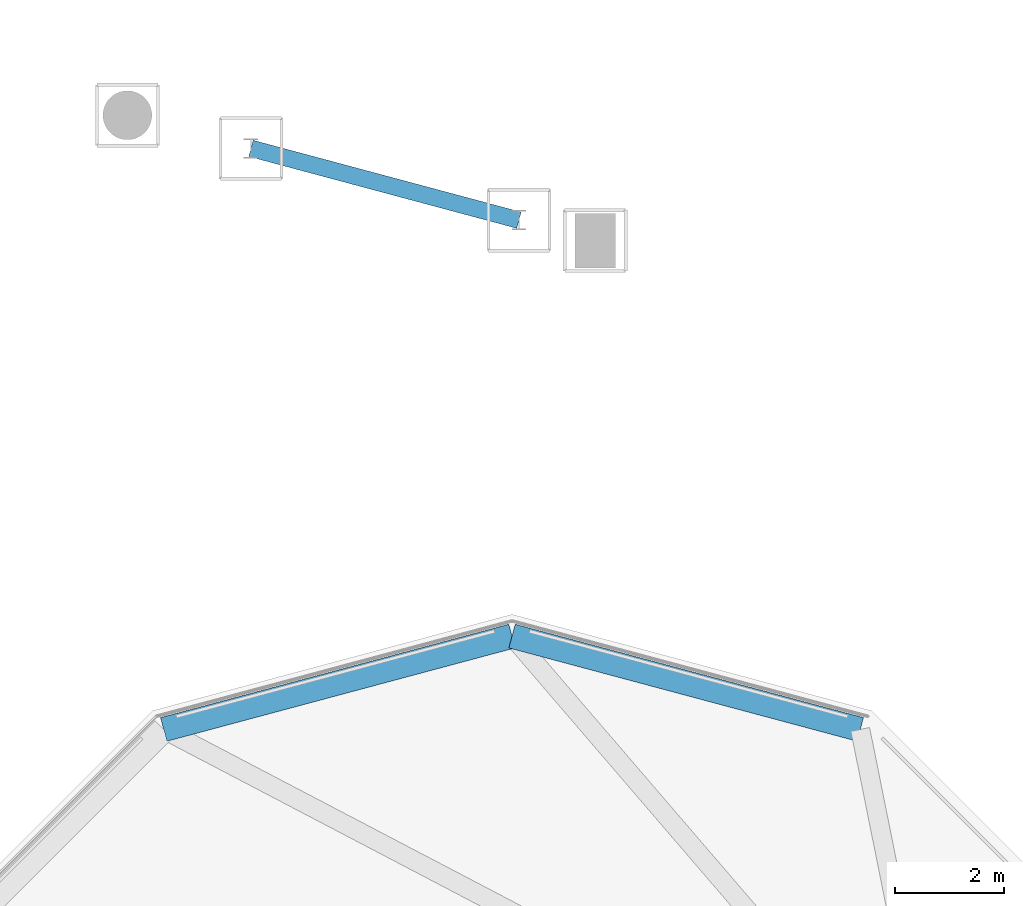
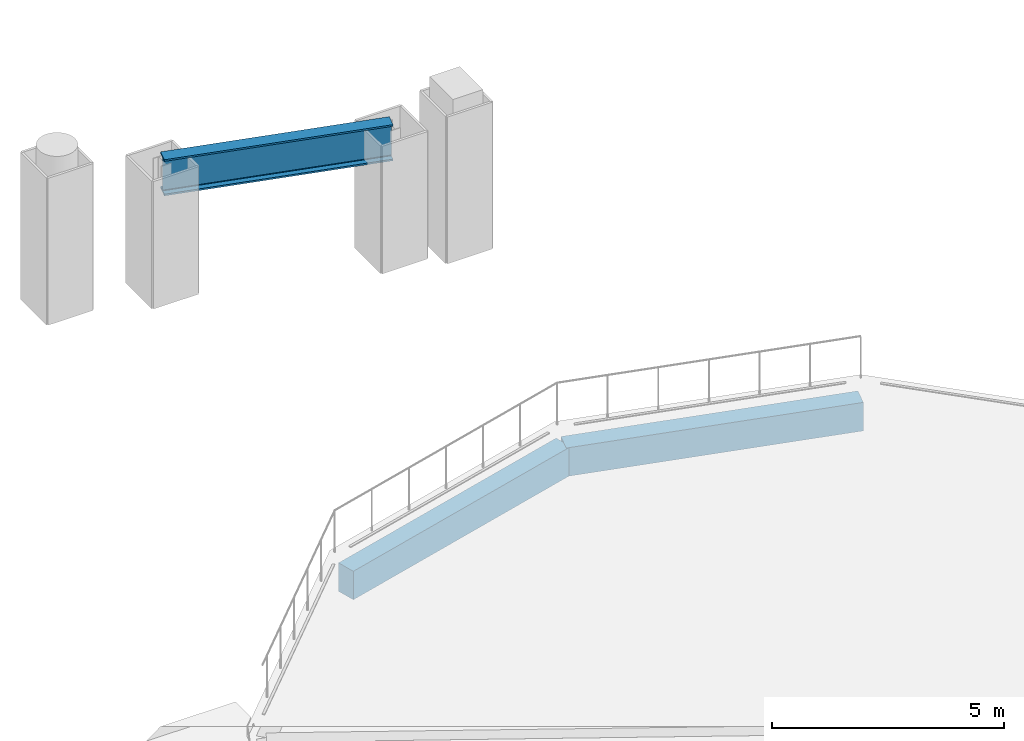
# One storey, part 44 of 128: 3 beams.
"""IFC4 building model written with IfcOpenShell, lengths in metres."""

from ifc_helpers import new_model, si_unit, direction, frame, origin, origin_2d, place, context, subcontext, project, spatial, rectangle, i_section, extrude, material, material_profile, profile_set, type_object, element, save


model = new_model("IFC4")

# Units and contexts
model_context = context("Model", 3, precision=1e-05, world=origin(), true_north=direction((0.0, 1.0)))
body_context = subcontext(model_context, "Body", "Model", "MODEL_VIEW")
ifc_project = project(units=[si_unit("LENGTHUNIT", "METRE"), si_unit("AREAUNIT", "SQUARE_METRE"), si_unit("VOLUMEUNIT", "CUBIC_METRE"), si_unit("PLANEANGLEUNIT", "RADIAN"), si_unit("MASSUNIT", "GRAM", prefix="KILO")], contexts=[model_context])

# Site, building, storey
site_placement = place(None, origin())
site = spatial("IfcSite", under=ifc_project, at=site_placement, CompositionType="ELEMENT")
building_placement = place(site_placement, origin())
building = spatial("IfcBuilding", under=site, at=building_placement, Name="Vespera Passage Community Centre", CompositionType="ELEMENT")
storey_placement = place(building_placement, frame((0.0, 0.0, 4.5)))
storey = spatial("IfcBuildingStorey", under=building, at=storey_placement, Name="L01", CompositionType="ELEMENT", Elevation=4.5)

# Beams
ifc_material_1 = material(Name="Concrete f'c 35 MPa", Category="concrete")
ifc_material_profile_1 = material_profile(ifc_material_1, rectangle(XDim=0.449951171875, YDim=0.75, at=origin_2d()), Name="RC450X750")
ifc_profile_set_1 = profile_set([ifc_material_profile_1], Name="Concrete f'c 35 MPa")
beam_type_1 = type_object("IfcBeamType", Name="BM-SP-450X750E", PredefinedType="SPANDREL", material=ifc_profile_set_1)
for number, where, z_axis, x_axis, name in (
    (1, (127.39990234375, 44.585205078125, -0.675048828125), (-0.965926011729, 0.258818353032, 0.0), (-0.258818353032, -0.965926011729, 0.0), "V3A L01 Cafe Spandrel 1"),
    (2, (121.0, 46.300048828125, -0.675048828125), (-0.965926011729, -0.258818353032, 0.0), (0.258818353032, -0.965926011729, 0.0), "V3A L01 Cafe Spandrel 2"),
):
    element("IfcBeam", number, at=place(storey_placement, frame(where, z_axis=z_axis, x_axis=x_axis)), inside=storey, type_object=beam_type_1, Name=name, PredefinedType="SPANDREL", context=body_context, shape_type="SweptSolid", body=[
        extrude(rectangle(XDim=0.449951171875, YDim=0.75, at=origin_2d()), origin(), (0.0, 0.0, 1.0), 6.625732421875),
    ])
ifc_material_2 = material(Name="Steel ASTM A992 Grade 50", Category="steel")
ifc_material_profile_2 = material_profile(ifc_material_2, i_section(OverallWidth=0.310302734375, OverallDepth=0.950439453125, WebThickness=0.0244140625, FlangeThickness=0.0439453125, FilletRadius=0.024169921875, at=origin_2d()), Name="W36X256")
ifc_profile_set_2 = profile_set([ifc_material_profile_2], Name="Steel ASTM A992 Grade 50")
beam_type_2 = type_object("IfcBeamType", Name="TG-256", PredefinedType="USERDEFINED", material=ifc_profile_set_2)
beam_placement = place(storey_placement, frame((121.128662109375, 53.943603515625, 3.0), z_axis=(-0.965921982275, 0.258833390731, 0.0), x_axis=(-0.258833390731, -0.965921982275, 0.0)))
element("IfcBeam", 3, at=beam_placement, inside=storey, type_object=beam_type_2, Name="Pylon Truss Anchor Cap Girder 8", ObjectType="TRANSFER GIRDER", PredefinedType="USERDEFINED", context=body_context, shape_type="SweptSolid", body=[
    extrude(i_section(OverallWidth=0.310302734375, OverallDepth=0.950439453125, WebThickness=0.0244140625, FlangeThickness=0.0439453125, FilletRadius=0.024169921875, at=origin_2d()), origin(), (0.0, 0.0, 1.0), 5.10009765625),
])

save(model, "model.ifc")
